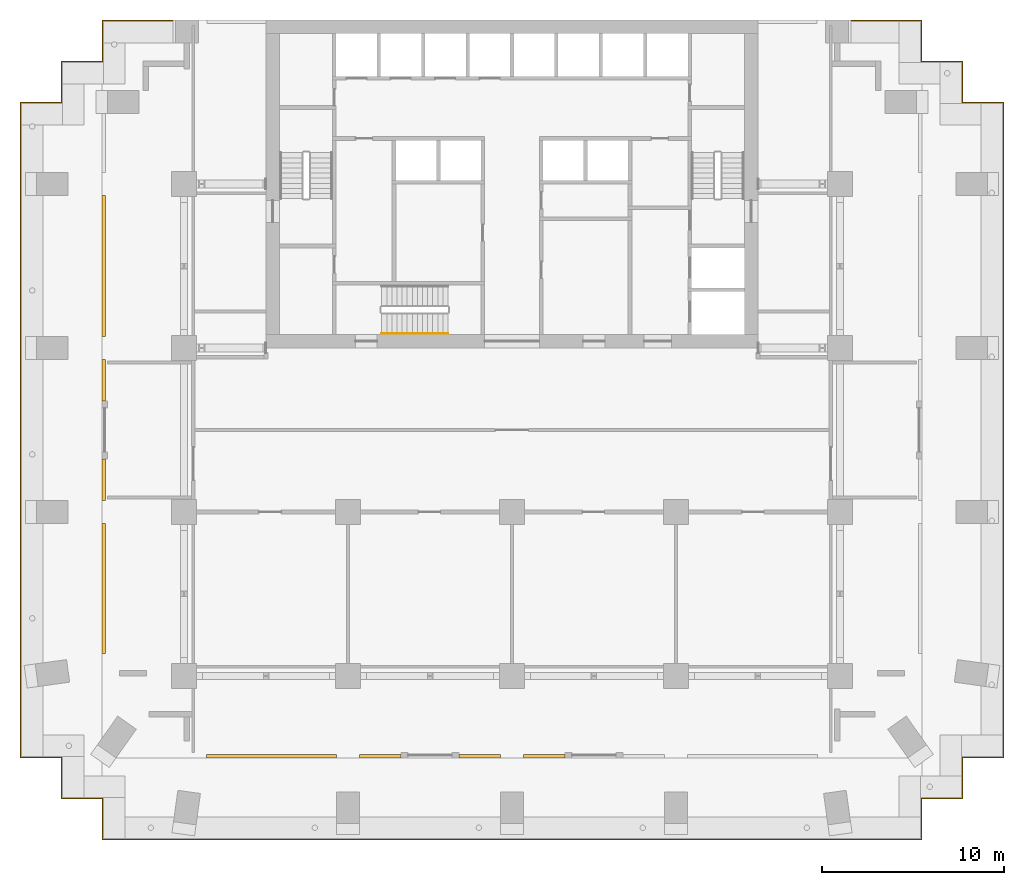
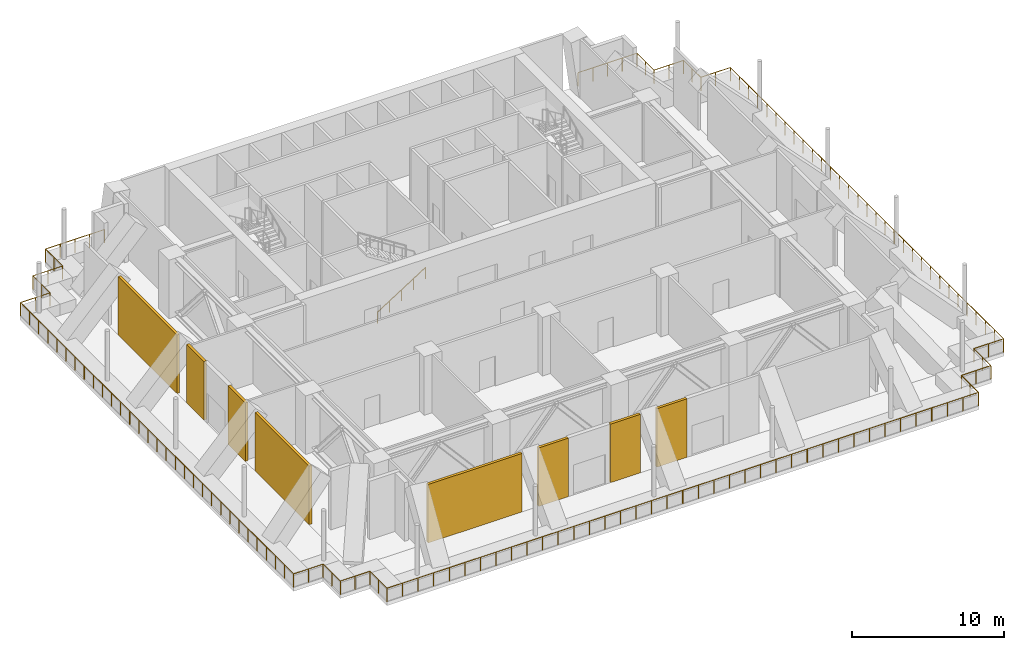
# One storey, part 6 of 9: 8 shading devices, 2 railings.
"""IFC4 building model written with IfcOpenShell, lengths in metres."""

import ifcopenshell
import ifcopenshell.guid

model = None  # the IFC model being written
_history = None  # IfcOwnerHistory: only IFC2X3 demands one
_inside = {}  # id of a spatial element -> (the spatial element, [elements in it])
_under = {}  # id of a project, library or spatial element -> (it, [spatial elements below it])
_declared = {}  # id of a project -> (the project, [libraries it declares])
_typed = {}  # id of a type object -> (the type object, [elements of that type])
_made_of = {}  # id of a material, layer set ... -> (it, [elements and type objects made of it])


def new_model(schema):
    """Start an empty IFC model of exactly this schema.

    Asked for "IFC4X3", IfcOpenShell would pick the latest addendum, in which some entities
    have other attributes; the version numbers below select the first issue.
    IFC2X3 requires an IfcOwnerHistory on every rooted entity: one is made here for all.
    """
    global model, _history
    if schema == "IFC4X3":
        model = ifcopenshell.file(schema_version=(4, 3, 0, 0))
    else:
        model = ifcopenshell.file(schema=schema)
    _inside.clear()
    _under.clear()
    _declared.clear()
    _typed.clear()
    _made_of.clear()
    _history = None
    if model.schema == "IFC2X3":
        org = make("IfcOrganization", Name="unknown")
        user = make(
            "IfcPersonAndOrganization",
            ThePerson=make("IfcPerson", FamilyName="unknown"),
            TheOrganization=org,
        )
        app = make(
            "IfcApplication",
            ApplicationDeveloper=org,
            Version="unknown",
            ApplicationFullName="unknown",
            ApplicationIdentifier="unknown",
        )
        _history = make(
            "IfcOwnerHistory",
            OwningUser=user,
            OwningApplication=app,
            ChangeAction="ADDED",
            CreationDate=0,
        )
    return model


def make(cls, **values):
    """One entity of the class cls with the attributes given. An attribute that is None is left unset."""
    return model.create_entity(
        cls, **{name: value for name, value in values.items() if value is not None}
    )


def rooted(cls, **values):
    """An entity with a GlobalId (a new one), such as an element, a storey or a relation."""
    return make(cls, GlobalId=ifcopenshell.guid.new(), OwnerHistory=_history, **values)


def si_unit(unit_type, name, prefix=None):
    """IfcSIUnit, for example si_unit("LENGTHUNIT", "METRE", prefix="MILLI")."""
    return make("IfcSIUnit", UnitType=unit_type, Prefix=prefix, Name=name)


def assignment(units):
    """IfcUnitAssignment: the units of a project."""
    return None if units is None else make("IfcUnitAssignment", Units=units)


def point(xyz):
    """IfcCartesianPoint."""
    return None if xyz is None else make("IfcCartesianPoint", Coordinates=xyz)


def direction(xyz):
    """IfcDirection."""
    return None if xyz is None else make("IfcDirection", DirectionRatios=xyz)


def frame(location, z_axis=None, x_axis=None):
    """IfcAxis2Placement3D, a coordinate frame: its origin and axes. An axis left out is left unset."""
    return make(
        "IfcAxis2Placement3D",
        Location=point(location),
        Axis=direction(z_axis),
        RefDirection=direction(x_axis),
    )


def frame_2d(location, x_axis=None):
    """IfcAxis2Placement2D, a coordinate frame in the plane: its origin and x axis."""
    return make(
        "IfcAxis2Placement2D", Location=point(location), RefDirection=direction(x_axis)
    )


def origin():
    """The frame at (0, 0, 0) with its axes left unset."""
    return frame((0.0, 0.0, 0.0))


def origin_2d():
    """The frame at (0, 0) in the plane with its x axis left unset."""
    return frame_2d((0.0, 0.0))


def place(relative_to, where):
    """IfcLocalPlacement: puts the frame where relative to a parent placement (None: the world)."""
    return make(
        "IfcLocalPlacement", PlacementRelTo=relative_to, RelativePlacement=where
    )


def context(
    kind, dimensions, precision=None, world=None, true_north=None, identifier=None
):
    """IfcGeometricRepresentationContext, for example the 3D "Model" context."""
    return make(
        "IfcGeometricRepresentationContext",
        ContextIdentifier=identifier,
        ContextType=kind,
        CoordinateSpaceDimension=dimensions,
        Precision=precision,
        WorldCoordinateSystem=world,
        TrueNorth=true_north,
    )


def subcontext(parent, identifier, kind, view, scale=None):
    """IfcGeometricRepresentationSubContext, for example "Body" below "Model"."""
    return make(
        "IfcGeometricRepresentationSubContext",
        ContextIdentifier=identifier,
        ContextType=kind,
        ParentContext=parent,
        TargetScale=scale,
        TargetView=view,
    )


def project(units=None, contexts=None):
    """IfcProject with its units and contexts."""
    return rooted(
        "IfcProject",
        Name="project",
        RepresentationContexts=contexts,
        UnitsInContext=assignment(units),
    )


def spatial(cls, under=None, at=None, **own):
    """A site, building, storey or space (cls), placed at a placement, below another one or the project."""
    s = rooted(cls, ObjectPlacement=at, **own)
    if under is not None:
        _under.setdefault(under.id(), (under, []))[1].append(s)
    return s


def polyline(points):
    """IfcPolyline through the points."""
    return make("IfcPolyline", Points=[point(p) for p in points])


def profile(cls, at=None, kind="AREA", **sizes):
    """A parametric profile (cls). Its sizes go by their IFC names, for example OverallWidth=200.0."""
    return make(cls, ProfileType=kind, Position=at, **sizes)


def rectangle(**sizes):
    """IfcRectangleProfileDef."""
    return profile("IfcRectangleProfileDef", **sizes)


def circle(**sizes):
    """IfcCircleProfileDef."""
    return profile("IfcCircleProfileDef", **sizes)


def outline(outer, holes=None, kind="AREA"):
    """IfcArbitraryClosedProfileDef: a profile drawn as a closed curve; with holes, ...WithVoids."""
    if holes is None:
        return make("IfcArbitraryClosedProfileDef", ProfileType=kind, OuterCurve=outer)
    return make(
        "IfcArbitraryProfileDefWithVoids",
        ProfileType=kind,
        OuterCurve=outer,
        InnerCurves=holes,
    )


def extrude(swept, where, along, depth):
    """IfcExtrudedAreaSolid: the profile swept, set in the frame where, extruded along a direction by depth."""
    return make(
        "IfcExtrudedAreaSolid",
        SweptArea=swept,
        Position=where,
        ExtrudedDirection=direction(along),
        Depth=depth,
    )


def shape(context_of_items, identifier, shape_type, items):
    """IfcShapeRepresentation: the items that make up one representation, for example the "Body"."""
    return make(
        "IfcShapeRepresentation",
        ContextOfItems=context_of_items,
        RepresentationIdentifier=identifier,
        RepresentationType=shape_type,
        Items=items,
    )


def material(Name=None, Category=None):
    """IfcMaterial."""
    return make("IfcMaterial", Name=Name, Category=Category)


def layer(
    of_material, thickness, ventilated=None, Name=None, Category=None, Priority=None
):
    """IfcMaterialLayer: one layer of a wall or slab, of a material (None: an air gap)."""
    return make(
        "IfcMaterialLayer",
        Material=of_material,
        LayerThickness=thickness,
        IsVentilated=ventilated,
        Name=Name,
        Category=Category,
        Priority=Priority,
    )


def layer_set(layers, Name=None):
    """IfcMaterialLayerSet."""
    return make("IfcMaterialLayerSet", MaterialLayers=layers, LayerSetName=Name)


def made_of(thing, what):
    """Note that an element or type object is made of a material, layer set ...; save() writes the relation."""
    if what is not None:
        _made_of.setdefault(what.id(), (what, []))[1].append(thing)
    return thing


def type_object(cls, material=None, **own):
    """A type object (cls), such as IfcWallType, which elements share."""
    return made_of(rooted(cls, **own), material)


def element(
    cls,
    number,
    at=None,
    inside=None,
    cuts=None,
    type_object=None,
    material=None,
    context=None,
    identifier="Body",
    shape_type=None,
    held_by="IfcProductDefinitionShape",
    body=None,
    shapes=None,
    **own,
):
    """One element of the class cls, such as IfcWall. Its Tag is "e" and its number.

    at: its placement. inside: the storey or other place that contains it. cuts: it is an
    opening in that element (IfcRelVoidsElement). A single representation is given by context,
    identifier, shape_type and body (its items); several are given by shapes. held_by: the class
    of the entity that holds the representations. save() writes the other relations.
    """
    e = rooted(cls, Tag="e%d" % number, ObjectPlacement=at, **own)
    if body is not None:
        shapes = [shape(context, identifier, shape_type, body)]
    if shapes is not None:
        e.Representation = make(held_by, Representations=shapes)
    if inside is not None:
        _inside.setdefault(inside.id(), (inside, []))[1].append(e)
    if cuts is not None:
        rooted(
            "IfcRelVoidsElement", RelatingBuildingElement=cuts, RelatedOpeningElement=e
        )
    if type_object is not None:
        _typed.setdefault(type_object.id(), (type_object, []))[1].append(e)
    return made_of(e, material)


def aggregate(whole, parts):
    """IfcRelAggregates: a whole, such as a stair, and the parts it consists of."""
    return rooted("IfcRelAggregates", RelatingObject=whole, RelatedObjects=parts)


def save(model, path):
    """Write the relations noted so far, then the file.

    IfcRelAggregates (storeys below a building ...), IfcRelContainedInSpatialStructure (elements
    in a storey), IfcRelDefinesByType, IfcRelAssociatesMaterial and IfcRelDeclares: one each for
    every whole, place, type object, material and project.
    """
    for whole, parts in _under.values():
        aggregate(whole, parts)
    for where, things in _inside.values():
        rooted(
            "IfcRelContainedInSpatialStructure",
            RelatedElements=things,
            RelatingStructure=where,
        )
    for kind, things in _typed.values():
        rooted("IfcRelDefinesByType", RelatedObjects=things, RelatingType=kind)
    for what, things in _made_of.values():
        rooted("IfcRelAssociatesMaterial", RelatedObjects=things, RelatingMaterial=what)
    for by, libraries in _declared.values():
        rooted("IfcRelDeclares", RelatingContext=by, RelatedDefinitions=libraries)
    model.write(path)


model = new_model("IFC4")

# Units and contexts
model_context = context("Model", 3, precision=1e-05, world=origin(), true_north=direction((0.0, 1.0)))
body_context = subcontext(model_context, "Body", "Model", "MODEL_VIEW")
ifc_project = project(units=[si_unit("LENGTHUNIT", "METRE"), si_unit("AREAUNIT", "SQUARE_METRE"), si_unit("VOLUMEUNIT", "CUBIC_METRE"), si_unit("PLANEANGLEUNIT", "RADIAN"), si_unit("MASSUNIT", "GRAM", prefix="KILO")], contexts=[model_context])

# Site, building, storey
site_placement = place(None, origin())
site = spatial("IfcSite", under=ifc_project, at=site_placement, CompositionType="ELEMENT")
building_placement = place(site_placement, origin())
building = spatial("IfcBuilding", under=site, at=building_placement, Name="Orbiselva Terraces", CompositionType="ELEMENT")
storey_placement = place(building_placement, frame((0.0, 0.0, 115.0)))
storey = spatial("IfcBuildingStorey", under=building, at=storey_placement, Name="L29", CompositionType="ELEMENT", Elevation=115.0)

# Railing
ifc_material_1 = material(Name="Stainless steel", Category="steel")
railing_type_1 = type_object("IfcRailingType", Name="CORE-HANDRAIL-900", PredefinedType="HANDRAIL", material=ifc_material_1)
railing_1_placement = place(storey_placement, frame((-7.15, 5.3, 0.178571)))
element("IfcRailing", 1, at=railing_1_placement, inside=storey, type_object=railing_type_1, Name="L29 S3 stair handrail 1", PredefinedType="HANDRAIL", context=body_context, shape_type="SweptSolid", body=[
    extrude(circle(Radius=0.024, at=origin_2d()), frame((0.0, 0.0, 0.876), z_axis=(0.843129645223, 0.0, 0.537710332192), x_axis=(0.0, 1.0, 0.0)), (0.0, 0.0, 1.0), 4.317248),
    extrude(circle(Radius=0.021, at=origin_2d()), origin(), (0.0, 0.0, 1.0), 0.852),
    extrude(circle(Radius=0.021, at=origin_2d()), frame((0.91, 0.0, 0.580357)), (0.0, 0.0, 1.0), 0.852),
    extrude(circle(Radius=0.021, at=origin_2d()), frame((1.82, 0.0, 1.160714)), (0.0, 0.0, 1.0), 0.852),
    extrude(circle(Radius=0.021, at=origin_2d()), frame((2.73, 0.0, 1.741072)), (0.0, 0.0, 1.0), 0.852),
    extrude(circle(Radius=0.021, at=origin_2d()), frame((3.64, 0.0, 2.321429)), (0.0, 0.0, 1.0), 0.852),
])

# Shading devices
ifc_material_2 = material(Name="Terracotta louvre blades", Category="masonry")
ifc_layer = layer(ifc_material_2, 0.2)
ifc_layer_set = layer_set([ifc_layer], Name="Terracotta louvre blades")
shading_device_type = type_object("IfcShadingDeviceType", Name="ENV-LOUVRE-WALL-200", PredefinedType="USERDEFINED", material=ifc_layer_set)
shading_device_1_placement = place(storey_placement, origin())
element("IfcShadingDevice", 2, at=shading_device_1_placement, inside=storey, type_object=shading_device_type, Name="Louvre wall L29 S", ObjectType="LOUVRE", PredefinedType="USERDEFINED", context=body_context, shape_type="SweptSolid", body=[
    extrude(outline(polyline([(-16.76787, -18.0), (-9.625, -18.0), (-9.625, -17.8), (-16.76787, -17.8), (-16.76787, -18.0)])), origin(), (0.0, 0.0, 1.0), 4.7),
])
shading_device_2_placement = place(storey_placement, origin())
element("IfcShadingDevice", 3, at=shading_device_2_placement, inside=storey, type_object=shading_device_type, Name="Louvre wall L29 S", ObjectType="LOUVRE", PredefinedType="USERDEFINED", context=body_context, shape_type="SweptSolid", body=[
    extrude(outline(polyline([(-8.375, -18.0), (-6.1, -18.0), (-6.1, -17.8), (-8.375, -17.8), (-8.375, -18.0)])), origin(), (0.0, 0.0, 1.0), 4.7),
])
shading_device_3_placement = place(storey_placement, origin())
element("IfcShadingDevice", 4, at=shading_device_3_placement, inside=storey, type_object=shading_device_type, Name="Louvre wall L29 S", ObjectType="LOUVRE", PredefinedType="USERDEFINED", context=body_context, shape_type="SweptSolid", body=[
    extrude(outline(polyline([(-2.9, -18.0), (-0.625, -18.0), (-0.625, -17.8), (-2.9, -17.8), (-2.9, -18.0)])), origin(), (0.0, 0.0, 1.0), 4.7),
])
shading_device_4_placement = place(storey_placement, origin())
element("IfcShadingDevice", 5, at=shading_device_4_placement, inside=storey, type_object=shading_device_type, Name="Louvre wall L29 S", ObjectType="LOUVRE", PredefinedType="USERDEFINED", context=body_context, shape_type="SweptSolid", body=[
    extrude(outline(polyline([(0.625, -18.0), (2.9, -18.0), (2.9, -17.8), (0.625, -17.8), (0.625, -18.0)])), origin(), (0.0, 0.0, 1.0), 4.7),
])
shading_device_5_placement = place(storey_placement, origin())
element("IfcShadingDevice", 6, at=shading_device_5_placement, inside=storey, type_object=shading_device_type, Name="Louvre wall L29 W", ObjectType="LOUVRE", PredefinedType="USERDEFINED", context=body_context, shape_type="SweptSolid", body=[
    extrude(outline(polyline([(-22.5, 12.875), (-22.5, 5.125), (-22.3, 5.125), (-22.3, 12.875), (-22.5, 12.875)])), origin(), (0.0, 0.0, 1.0), 4.7),
])
shading_device_6_placement = place(storey_placement, origin())
element("IfcShadingDevice", 7, at=shading_device_6_placement, inside=storey, type_object=shading_device_type, Name="Louvre wall L29 W", ObjectType="LOUVRE", PredefinedType="USERDEFINED", context=body_context, shape_type="SweptSolid", body=[
    extrude(outline(polyline([(-22.5, 3.875), (-22.5, 1.6), (-22.3, 1.6), (-22.3, 3.875), (-22.5, 3.875)])), origin(), (0.0, 0.0, 1.0), 4.7),
])
shading_device_7_placement = place(storey_placement, origin())
element("IfcShadingDevice", 8, at=shading_device_7_placement, inside=storey, type_object=shading_device_type, Name="Louvre wall L29 W", ObjectType="LOUVRE", PredefinedType="USERDEFINED", context=body_context, shape_type="SweptSolid", body=[
    extrude(outline(polyline([(-22.5, -1.6), (-22.5, -3.875), (-22.3, -3.875), (-22.3, -1.6), (-22.5, -1.6)])), origin(), (0.0, 0.0, 1.0), 4.7),
])
shading_device_8_placement = place(storey_placement, origin())
element("IfcShadingDevice", 9, at=shading_device_8_placement, inside=storey, type_object=shading_device_type, Name="Louvre wall L29 W", ObjectType="LOUVRE", PredefinedType="USERDEFINED", context=body_context, shape_type="SweptSolid", body=[
    extrude(outline(polyline([(-22.5, -5.125), (-22.5, -12.26787), (-22.3, -12.26787), (-22.3, -5.125), (-22.5, -5.125)])), origin(), (0.0, 0.0, 1.0), 4.7),
])

# Railing
ifc_material_3 = material(Name="Stainless steel rail and posts", Category="steel")
railing_type_2 = type_object("IfcRailingType", Name="ENV-TERRACE-GUARD-1105", PredefinedType="BALUSTRADE", material=ifc_material_3)
railing_2_placement = place(storey_placement, frame((-18.0, 22.475, 0.0)))
element("IfcRailing", 10, at=railing_2_placement, inside=storey, type_object=railing_type_2, Name="Guard L29 ring", PredefinedType="BALUSTRADE", context=body_context, shape_type="SweptSolid", body=[
    extrude(outline(polyline([(0.028868, 0.0), (0.014434, 0.025), (-0.014434, 0.025), (-0.028868, 0.0), (-0.014434, -0.025), (0.014434, -0.025), (0.028868, 0.0)])), frame((0.0, 0.0, 1.08), z_axis=(-1.0, 0.0, 0.0), x_axis=(0.0, -1.0, 0.0)), (0.0, 0.0, 1.0), 4.475),
    extrude(outline(polyline([(0.028868, 0.0), (0.014434, 0.025), (-0.014434, 0.025), (-0.028868, 0.0), (-0.014434, -0.025), (0.014434, -0.025), (0.028868, 0.0)])), frame((-4.475, 0.0, 1.08), z_axis=(0.0, -1.0, 0.0), x_axis=(1.0, 0.0, 0.0)), (0.0, 0.0, 1.0), 2.25),
    extrude(outline(polyline([(0.028868, 0.0), (0.014434, 0.025), (-0.014434, 0.025), (-0.028868, 0.0), (-0.014434, -0.025), (0.014434, -0.025), (0.028868, 0.0)])), frame((-4.475, -2.25, 1.08), z_axis=(-1.0, 0.0, 0.0), x_axis=(0.0, -1.0, 0.0)), (0.0, 0.0, 1.0), 2.25),
    extrude(outline(polyline([(0.028868, 0.0), (0.014434, 0.025), (-0.014434, 0.025), (-0.028868, 0.0), (-0.014434, -0.025), (0.014434, -0.025), (0.028868, 0.0)])), frame((-6.725, -2.25, 1.08), z_axis=(0.0, -1.0, 0.0), x_axis=(1.0, 0.0, 0.0)), (0.0, 0.0, 1.0), 2.25),
    extrude(outline(polyline([(0.028868, 0.0), (0.014434, 0.025), (-0.014434, 0.025), (-0.028868, 0.0), (-0.014434, -0.025), (0.014434, -0.025), (0.028868, 0.0)])), frame((-6.725, -4.5, 1.08), z_axis=(-1.0, 0.0, 0.0), x_axis=(0.0, -1.0, 0.0)), (0.0, 0.0, 1.0), 2.25),
    extrude(outline(polyline([(0.028868, 0.0), (0.014434, 0.025), (-0.014434, 0.025), (-0.028868, 0.0), (-0.014434, -0.025), (0.014434, -0.025), (0.028868, 0.0)])), frame((-8.975, -4.5, 1.08), z_axis=(0.0, -1.0, 0.0), x_axis=(1.0, 0.0, 0.0)), (0.0, 0.0, 1.0), 35.95),
    extrude(outline(polyline([(0.028868, 0.0), (0.014434, 0.025), (-0.014434, 0.025), (-0.028868, 0.0), (-0.014434, -0.025), (0.014434, -0.025), (0.028868, 0.0)])), frame((-8.975, -40.45, 1.08), z_axis=(1.0, 0.0, 0.0), x_axis=(0.0, 1.0, 0.0)), (0.0, 0.0, 1.0), 2.25),
    extrude(outline(polyline([(0.028868, 0.0), (0.014434, 0.025), (-0.014434, 0.025), (-0.028868, 0.0), (-0.014434, -0.025), (0.014434, -0.025), (0.028868, 0.0)])), frame((-6.725, -40.45, 1.08), z_axis=(0.0, -1.0, 0.0), x_axis=(1.0, 0.0, 0.0)), (0.0, 0.0, 1.0), 2.25),
    extrude(outline(polyline([(0.028868, 0.0), (0.014434, 0.025), (-0.014434, 0.025), (-0.028868, 0.0), (-0.014434, -0.025), (0.014434, -0.025), (0.028868, 0.0)])), frame((-6.725, -42.7, 1.08), z_axis=(1.0, 0.0, 0.0), x_axis=(0.0, 1.0, 0.0)), (0.0, 0.0, 1.0), 2.25),
    extrude(outline(polyline([(0.028868, 0.0), (0.014434, 0.025), (-0.014434, 0.025), (-0.028868, 0.0), (-0.014434, -0.025), (0.014434, -0.025), (0.028868, 0.0)])), frame((-4.475, -42.7, 1.08), z_axis=(0.0, -1.0, 0.0), x_axis=(1.0, 0.0, 0.0)), (0.0, 0.0, 1.0), 2.25),
    extrude(outline(polyline([(0.028868, 0.0), (0.014434, 0.025), (-0.014434, 0.025), (-0.028868, 0.0), (-0.014434, -0.025), (0.014434, -0.025), (0.028868, 0.0)])), frame((-4.475, -44.95, 1.08), z_axis=(1.0, 0.0, 0.0), x_axis=(0.0, 1.0, 0.0)), (0.0, 0.0, 1.0), 44.95),
    extrude(outline(polyline([(0.028868, 0.0), (0.014434, 0.025), (-0.014434, 0.025), (-0.028868, 0.0), (-0.014434, -0.025), (0.014434, -0.025), (0.028868, 0.0)])), frame((40.475, -44.95, 1.08), z_axis=(0.0, 1.0, 0.0), x_axis=(-1.0, 0.0, 0.0)), (0.0, 0.0, 1.0), 2.25),
    extrude(outline(polyline([(0.028868, 0.0), (0.014434, 0.025), (-0.014434, 0.025), (-0.028868, 0.0), (-0.014434, -0.025), (0.014434, -0.025), (0.028868, 0.0)])), frame((40.475, -42.7, 1.08), z_axis=(1.0, 0.0, 0.0), x_axis=(0.0, 1.0, 0.0)), (0.0, 0.0, 1.0), 2.25),
    extrude(outline(polyline([(0.028868, 0.0), (0.014434, 0.025), (-0.014434, 0.025), (-0.028868, 0.0), (-0.014434, -0.025), (0.014434, -0.025), (0.028868, 0.0)])), frame((42.725, -42.7, 1.08), z_axis=(0.0, 1.0, 0.0), x_axis=(-1.0, 0.0, 0.0)), (0.0, 0.0, 1.0), 2.25),
    extrude(outline(polyline([(0.028868, 0.0), (0.014434, 0.025), (-0.014434, 0.025), (-0.028868, 0.0), (-0.014434, -0.025), (0.014434, -0.025), (0.028868, 0.0)])), frame((42.725, -40.45, 1.08), z_axis=(1.0, 0.0, 0.0), x_axis=(0.0, 1.0, 0.0)), (0.0, 0.0, 1.0), 2.25),
    extrude(outline(polyline([(0.028868, 0.0), (0.014434, 0.025), (-0.014434, 0.025), (-0.028868, 0.0), (-0.014434, -0.025), (0.014434, -0.025), (0.028868, 0.0)])), frame((44.975, -40.45, 1.08), z_axis=(0.0, 1.0, 0.0), x_axis=(-1.0, 0.0, 0.0)), (0.0, 0.0, 1.0), 35.95),
    extrude(outline(polyline([(0.028868, 0.0), (0.014434, 0.025), (-0.014434, 0.025), (-0.028868, 0.0), (-0.014434, -0.025), (0.014434, -0.025), (0.028868, 0.0)])), frame((44.975, -4.5, 1.08), z_axis=(-1.0, 0.0, 0.0), x_axis=(0.0, -1.0, 0.0)), (0.0, 0.0, 1.0), 2.25),
    extrude(outline(polyline([(0.028868, 0.0), (0.014434, 0.025), (-0.014434, 0.025), (-0.028868, 0.0), (-0.014434, -0.025), (0.014434, -0.025), (0.028868, 0.0)])), frame((42.725, -4.5, 1.08), z_axis=(0.0, 1.0, 0.0), x_axis=(-1.0, 0.0, 0.0)), (0.0, 0.0, 1.0), 2.25),
    extrude(outline(polyline([(0.028868, 0.0), (0.014434, 0.025), (-0.014434, 0.025), (-0.028868, 0.0), (-0.014434, -0.025), (0.014434, -0.025), (0.028868, 0.0)])), frame((42.725, -2.25, 1.08), z_axis=(-1.0, 0.0, 0.0), x_axis=(0.0, -1.0, 0.0)), (0.0, 0.0, 1.0), 2.25),
    extrude(outline(polyline([(0.028868, 0.0), (0.014434, 0.025), (-0.014434, 0.025), (-0.028868, 0.0), (-0.014434, -0.025), (0.014434, -0.025), (0.028868, 0.0)])), frame((40.475, -2.25, 1.08), z_axis=(0.0, 1.0, 0.0), x_axis=(-1.0, 0.0, 0.0)), (0.0, 0.0, 1.0), 2.25),
    extrude(outline(polyline([(0.028868, 0.0), (0.014434, 0.025), (-0.014434, 0.025), (-0.028868, 0.0), (-0.014434, -0.025), (0.014434, -0.025), (0.028868, 0.0)])), frame((40.475, 0.0, 1.08), z_axis=(-1.0, 0.0, 0.0), x_axis=(0.0, -1.0, 0.0)), (0.0, 0.0, 1.0), 4.475),
    extrude(rectangle(XDim=0.05, YDim=0.05, at=origin_2d()), origin(), (0.0, 0.0, 1.0), 1.055),
    extrude(rectangle(XDim=0.05, YDim=0.05, at=origin_2d()), frame((-1.11875, 0.0, 0.0)), (0.0, 0.0, 1.0), 1.055),
    extrude(rectangle(XDim=0.05, YDim=0.05, at=origin_2d()), frame((-2.2375, 0.0, 0.0)), (0.0, 0.0, 1.0), 1.055),
    extrude(rectangle(XDim=0.05, YDim=0.05, at=origin_2d()), frame((-3.35625, 0.0, 0.0)), (0.0, 0.0, 1.0), 1.055),
    extrude(rectangle(XDim=0.05, YDim=0.05, at=origin_2d()), frame((-4.475, 0.0, 0.0)), (0.0, 0.0, 1.0), 1.055),
    extrude(rectangle(XDim=0.05, YDim=0.05, at=origin_2d()), frame((-4.475, -1.125, 0.0)), (0.0, 0.0, 1.0), 1.055),
    extrude(rectangle(XDim=0.05, YDim=0.05, at=origin_2d()), frame((-4.475, -2.25, 0.0)), (0.0, 0.0, 1.0), 1.055),
    extrude(rectangle(XDim=0.05, YDim=0.05, at=origin_2d()), frame((-5.6, -2.25, 0.0)), (0.0, 0.0, 1.0), 1.055),
    extrude(rectangle(XDim=0.05, YDim=0.05, at=origin_2d()), frame((-6.725, -2.25, 0.0)), (0.0, 0.0, 1.0), 1.055),
    extrude(rectangle(XDim=0.05, YDim=0.05, at=origin_2d()), frame((-6.725, -3.375, 0.0)), (0.0, 0.0, 1.0), 1.055),
    extrude(rectangle(XDim=0.05, YDim=0.05, at=origin_2d()), frame((-6.725, -4.5, 0.0)), (0.0, 0.0, 1.0), 1.055),
    extrude(rectangle(XDim=0.05, YDim=0.05, at=origin_2d()), frame((-7.85, -4.5, 0.0)), (0.0, 0.0, 1.0), 1.055),
    extrude(rectangle(XDim=0.05, YDim=0.05, at=origin_2d()), frame((-8.975, -4.5, 0.0)), (0.0, 0.0, 1.0), 1.055),
    extrude(rectangle(XDim=0.05, YDim=0.05, at=origin_2d()), frame((-8.975, -5.698333, 0.0)), (0.0, 0.0, 1.0), 1.055),
    extrude(rectangle(XDim=0.05, YDim=0.05, at=origin_2d()), frame((-8.975, -6.896667, 0.0)), (0.0, 0.0, 1.0), 1.055),
    extrude(rectangle(XDim=0.05, YDim=0.05, at=origin_2d()), frame((-8.975, -8.095, 0.0)), (0.0, 0.0, 1.0), 1.055),
    extrude(rectangle(XDim=0.05, YDim=0.05, at=origin_2d()), frame((-8.975, -9.293333, 0.0)), (0.0, 0.0, 1.0), 1.055),
    extrude(rectangle(XDim=0.05, YDim=0.05, at=origin_2d()), frame((-8.975, -10.491667, 0.0)), (0.0, 0.0, 1.0), 1.055),
    extrude(rectangle(XDim=0.05, YDim=0.05, at=origin_2d()), frame((-8.975, -11.69, 0.0)), (0.0, 0.0, 1.0), 1.055),
    extrude(rectangle(XDim=0.05, YDim=0.05, at=origin_2d()), frame((-8.975, -12.888333, 0.0)), (0.0, 0.0, 1.0), 1.055),
    extrude(rectangle(XDim=0.05, YDim=0.05, at=origin_2d()), frame((-8.975, -14.086667, 0.0)), (0.0, 0.0, 1.0), 1.055),
    extrude(rectangle(XDim=0.05, YDim=0.05, at=origin_2d()), frame((-8.975, -15.285, 0.0)), (0.0, 0.0, 1.0), 1.055),
    extrude(rectangle(XDim=0.05, YDim=0.05, at=origin_2d()), frame((-8.975, -16.483333, 0.0)), (0.0, 0.0, 1.0), 1.055),
    extrude(rectangle(XDim=0.05, YDim=0.05, at=origin_2d()), frame((-8.975, -17.681667, 0.0)), (0.0, 0.0, 1.0), 1.055),
    extrude(rectangle(XDim=0.05, YDim=0.05, at=origin_2d()), frame((-8.975, -18.88, 0.0)), (0.0, 0.0, 1.0), 1.055),
    extrude(rectangle(XDim=0.05, YDim=0.05, at=origin_2d()), frame((-8.975, -20.078333, 0.0)), (0.0, 0.0, 1.0), 1.055),
    extrude(rectangle(XDim=0.05, YDim=0.05, at=origin_2d()), frame((-8.975, -21.276667, 0.0)), (0.0, 0.0, 1.0), 1.055),
    extrude(rectangle(XDim=0.05, YDim=0.05, at=origin_2d()), frame((-8.975, -22.475, 0.0)), (0.0, 0.0, 1.0), 1.055),
    extrude(rectangle(XDim=0.05, YDim=0.05, at=origin_2d()), frame((-8.975, -23.673333, 0.0)), (0.0, 0.0, 1.0), 1.055),
    extrude(rectangle(XDim=0.05, YDim=0.05, at=origin_2d()), frame((-8.975, -24.871667, 0.0)), (0.0, 0.0, 1.0), 1.055),
    extrude(rectangle(XDim=0.05, YDim=0.05, at=origin_2d()), frame((-8.975, -26.07, 0.0)), (0.0, 0.0, 1.0), 1.055),
    extrude(rectangle(XDim=0.05, YDim=0.05, at=origin_2d()), frame((-8.975, -27.268333, 0.0)), (0.0, 0.0, 1.0), 1.055),
    extrude(rectangle(XDim=0.05, YDim=0.05, at=origin_2d()), frame((-8.975, -28.466667, 0.0)), (0.0, 0.0, 1.0), 1.055),
    extrude(rectangle(XDim=0.05, YDim=0.05, at=origin_2d()), frame((-8.975, -29.665, 0.0)), (0.0, 0.0, 1.0), 1.055),
    extrude(rectangle(XDim=0.05, YDim=0.05, at=origin_2d()), frame((-8.975, -30.863333, 0.0)), (0.0, 0.0, 1.0), 1.055),
    extrude(rectangle(XDim=0.05, YDim=0.05, at=origin_2d()), frame((-8.975, -32.061667, 0.0)), (0.0, 0.0, 1.0), 1.055),
    extrude(rectangle(XDim=0.05, YDim=0.05, at=origin_2d()), frame((-8.975, -33.26, 0.0)), (0.0, 0.0, 1.0), 1.055),
    extrude(rectangle(XDim=0.05, YDim=0.05, at=origin_2d()), frame((-8.975, -34.458333, 0.0)), (0.0, 0.0, 1.0), 1.055),
    extrude(rectangle(XDim=0.05, YDim=0.05, at=origin_2d()), frame((-8.975, -35.656667, 0.0)), (0.0, 0.0, 1.0), 1.055),
    extrude(rectangle(XDim=0.05, YDim=0.05, at=origin_2d()), frame((-8.975, -36.855, 0.0)), (0.0, 0.0, 1.0), 1.055),
    extrude(rectangle(XDim=0.05, YDim=0.05, at=origin_2d()), frame((-8.975, -38.053333, 0.0)), (0.0, 0.0, 1.0), 1.055),
    extrude(rectangle(XDim=0.05, YDim=0.05, at=origin_2d()), frame((-8.975, -39.251667, 0.0)), (0.0, 0.0, 1.0), 1.055),
    extrude(rectangle(XDim=0.05, YDim=0.05, at=origin_2d()), frame((-8.975, -40.45, 0.0)), (0.0, 0.0, 1.0), 1.055),
    extrude(rectangle(XDim=0.05, YDim=0.05, at=origin_2d()), frame((-7.85, -40.45, 0.0)), (0.0, 0.0, 1.0), 1.055),
    extrude(rectangle(XDim=0.05, YDim=0.05, at=origin_2d()), frame((-6.725, -40.45, 0.0)), (0.0, 0.0, 1.0), 1.055),
    extrude(rectangle(XDim=0.05, YDim=0.05, at=origin_2d()), frame((-6.725, -41.575, 0.0)), (0.0, 0.0, 1.0), 1.055),
    extrude(rectangle(XDim=0.05, YDim=0.05, at=origin_2d()), frame((-6.725, -42.7, 0.0)), (0.0, 0.0, 1.0), 1.055),
    extrude(rectangle(XDim=0.05, YDim=0.05, at=origin_2d()), frame((-5.6, -42.7, 0.0)), (0.0, 0.0, 1.0), 1.055),
    extrude(rectangle(XDim=0.05, YDim=0.05, at=origin_2d()), frame((-4.475, -42.7, 0.0)), (0.0, 0.0, 1.0), 1.055),
    extrude(rectangle(XDim=0.05, YDim=0.05, at=origin_2d()), frame((-4.475, -43.825, 0.0)), (0.0, 0.0, 1.0), 1.055),
    extrude(rectangle(XDim=0.05, YDim=0.05, at=origin_2d()), frame((-4.475, -44.95, 0.0)), (0.0, 0.0, 1.0), 1.055),
    extrude(rectangle(XDim=0.05, YDim=0.05, at=origin_2d()), frame((-3.292105, -44.95, 0.0)), (0.0, 0.0, 1.0), 1.055),
    extrude(rectangle(XDim=0.05, YDim=0.05, at=origin_2d()), frame((-2.109211, -44.95, 0.0)), (0.0, 0.0, 1.0), 1.055),
    extrude(rectangle(XDim=0.05, YDim=0.05, at=origin_2d()), frame((-0.926316, -44.95, 0.0)), (0.0, 0.0, 1.0), 1.055),
    extrude(rectangle(XDim=0.05, YDim=0.05, at=origin_2d()), frame((0.256579, -44.95, 0.0)), (0.0, 0.0, 1.0), 1.055),
    extrude(rectangle(XDim=0.05, YDim=0.05, at=origin_2d()), frame((1.439474, -44.95, 0.0)), (0.0, 0.0, 1.0), 1.055),
    extrude(rectangle(XDim=0.05, YDim=0.05, at=origin_2d()), frame((2.622368, -44.95, 0.0)), (0.0, 0.0, 1.0), 1.055),
    extrude(rectangle(XDim=0.05, YDim=0.05, at=origin_2d()), frame((3.805263, -44.95, 0.0)), (0.0, 0.0, 1.0), 1.055),
    extrude(rectangle(XDim=0.05, YDim=0.05, at=origin_2d()), frame((4.988158, -44.95, 0.0)), (0.0, 0.0, 1.0), 1.055),
    extrude(rectangle(XDim=0.05, YDim=0.05, at=origin_2d()), frame((6.171053, -44.95, 0.0)), (0.0, 0.0, 1.0), 1.055),
    extrude(rectangle(XDim=0.05, YDim=0.05, at=origin_2d()), frame((7.353947, -44.95, 0.0)), (0.0, 0.0, 1.0), 1.055),
    extrude(rectangle(XDim=0.05, YDim=0.05, at=origin_2d()), frame((8.536842, -44.95, 0.0)), (0.0, 0.0, 1.0), 1.055),
    extrude(rectangle(XDim=0.05, YDim=0.05, at=origin_2d()), frame((9.719737, -44.95, 0.0)), (0.0, 0.0, 1.0), 1.055),
    extrude(rectangle(XDim=0.05, YDim=0.05, at=origin_2d()), frame((10.902632, -44.95, 0.0)), (0.0, 0.0, 1.0), 1.055),
    extrude(rectangle(XDim=0.05, YDim=0.05, at=origin_2d()), frame((12.085526, -44.95, 0.0)), (0.0, 0.0, 1.0), 1.055),
    extrude(rectangle(XDim=0.05, YDim=0.05, at=origin_2d()), frame((13.268421, -44.95, 0.0)), (0.0, 0.0, 1.0), 1.055),
    extrude(rectangle(XDim=0.05, YDim=0.05, at=origin_2d()), frame((14.451316, -44.95, 0.0)), (0.0, 0.0, 1.0), 1.055),
    extrude(rectangle(XDim=0.05, YDim=0.05, at=origin_2d()), frame((15.634211, -44.95, 0.0)), (0.0, 0.0, 1.0), 1.055),
    extrude(rectangle(XDim=0.05, YDim=0.05, at=origin_2d()), frame((16.817105, -44.95, 0.0)), (0.0, 0.0, 1.0), 1.055),
    extrude(rectangle(XDim=0.05, YDim=0.05, at=origin_2d()), frame((18.0, -44.95, 0.0)), (0.0, 0.0, 1.0), 1.055),
    extrude(rectangle(XDim=0.05, YDim=0.05, at=origin_2d()), frame((19.182895, -44.95, 0.0)), (0.0, 0.0, 1.0), 1.055),
    extrude(rectangle(XDim=0.05, YDim=0.05, at=origin_2d()), frame((20.365789, -44.95, 0.0)), (0.0, 0.0, 1.0), 1.055),
    extrude(rectangle(XDim=0.05, YDim=0.05, at=origin_2d()), frame((21.548684, -44.95, 0.0)), (0.0, 0.0, 1.0), 1.055),
    extrude(rectangle(XDim=0.05, YDim=0.05, at=origin_2d()), frame((22.731579, -44.95, 0.0)), (0.0, 0.0, 1.0), 1.055),
    extrude(rectangle(XDim=0.05, YDim=0.05, at=origin_2d()), frame((23.914474, -44.95, 0.0)), (0.0, 0.0, 1.0), 1.055),
    extrude(rectangle(XDim=0.05, YDim=0.05, at=origin_2d()), frame((25.097368, -44.95, 0.0)), (0.0, 0.0, 1.0), 1.055),
    extrude(rectangle(XDim=0.05, YDim=0.05, at=origin_2d()), frame((26.280263, -44.95, 0.0)), (0.0, 0.0, 1.0), 1.055),
    extrude(rectangle(XDim=0.05, YDim=0.05, at=origin_2d()), frame((27.463158, -44.95, 0.0)), (0.0, 0.0, 1.0), 1.055),
    extrude(rectangle(XDim=0.05, YDim=0.05, at=origin_2d()), frame((28.646053, -44.95, 0.0)), (0.0, 0.0, 1.0), 1.055),
    extrude(rectangle(XDim=0.05, YDim=0.05, at=origin_2d()), frame((29.828947, -44.95, 0.0)), (0.0, 0.0, 1.0), 1.055),
    extrude(rectangle(XDim=0.05, YDim=0.05, at=origin_2d()), frame((31.011842, -44.95, 0.0)), (0.0, 0.0, 1.0), 1.055),
    extrude(rectangle(XDim=0.05, YDim=0.05, at=origin_2d()), frame((32.194737, -44.95, 0.0)), (0.0, 0.0, 1.0), 1.055),
    extrude(rectangle(XDim=0.05, YDim=0.05, at=origin_2d()), frame((33.377632, -44.95, 0.0)), (0.0, 0.0, 1.0), 1.055),
    extrude(rectangle(XDim=0.05, YDim=0.05, at=origin_2d()), frame((34.560526, -44.95, 0.0)), (0.0, 0.0, 1.0), 1.055),
    extrude(rectangle(XDim=0.05, YDim=0.05, at=origin_2d()), frame((35.743421, -44.95, 0.0)), (0.0, 0.0, 1.0), 1.055),
    extrude(rectangle(XDim=0.05, YDim=0.05, at=origin_2d()), frame((36.926316, -44.95, 0.0)), (0.0, 0.0, 1.0), 1.055),
    extrude(rectangle(XDim=0.05, YDim=0.05, at=origin_2d()), frame((38.109211, -44.95, 0.0)), (0.0, 0.0, 1.0), 1.055),
    extrude(rectangle(XDim=0.05, YDim=0.05, at=origin_2d()), frame((39.292105, -44.95, 0.0)), (0.0, 0.0, 1.0), 1.055),
    extrude(rectangle(XDim=0.05, YDim=0.05, at=origin_2d()), frame((40.475, -44.95, 0.0)), (0.0, 0.0, 1.0), 1.055),
    extrude(rectangle(XDim=0.05, YDim=0.05, at=origin_2d()), frame((40.475, -43.825, 0.0)), (0.0, 0.0, 1.0), 1.055),
    extrude(rectangle(XDim=0.05, YDim=0.05, at=origin_2d()), frame((40.475, -42.7, 0.0)), (0.0, 0.0, 1.0), 1.055),
    extrude(rectangle(XDim=0.05, YDim=0.05, at=origin_2d()), frame((41.6, -42.7, 0.0)), (0.0, 0.0, 1.0), 1.055),
    extrude(rectangle(XDim=0.05, YDim=0.05, at=origin_2d()), frame((42.725, -42.7, 0.0)), (0.0, 0.0, 1.0), 1.055),
    extrude(rectangle(XDim=0.05, YDim=0.05, at=origin_2d()), frame((42.725, -41.575, 0.0)), (0.0, 0.0, 1.0), 1.055),
    extrude(rectangle(XDim=0.05, YDim=0.05, at=origin_2d()), frame((42.725, -40.45, 0.0)), (0.0, 0.0, 1.0), 1.055),
    extrude(rectangle(XDim=0.05, YDim=0.05, at=origin_2d()), frame((43.85, -40.45, 0.0)), (0.0, 0.0, 1.0), 1.055),
    extrude(rectangle(XDim=0.05, YDim=0.05, at=origin_2d()), frame((44.975, -40.45, 0.0)), (0.0, 0.0, 1.0), 1.055),
    extrude(rectangle(XDim=0.05, YDim=0.05, at=origin_2d()), frame((44.975, -39.251667, 0.0)), (0.0, 0.0, 1.0), 1.055),
    extrude(rectangle(XDim=0.05, YDim=0.05, at=origin_2d()), frame((44.975, -38.053333, 0.0)), (0.0, 0.0, 1.0), 1.055),
    extrude(rectangle(XDim=0.05, YDim=0.05, at=origin_2d()), frame((44.975, -36.855, 0.0)), (0.0, 0.0, 1.0), 1.055),
    extrude(rectangle(XDim=0.05, YDim=0.05, at=origin_2d()), frame((44.975, -35.656667, 0.0)), (0.0, 0.0, 1.0), 1.055),
    extrude(rectangle(XDim=0.05, YDim=0.05, at=origin_2d()), frame((44.975, -34.458333, 0.0)), (0.0, 0.0, 1.0), 1.055),
    extrude(rectangle(XDim=0.05, YDim=0.05, at=origin_2d()), frame((44.975, -33.26, 0.0)), (0.0, 0.0, 1.0), 1.055),
    extrude(rectangle(XDim=0.05, YDim=0.05, at=origin_2d()), frame((44.975, -32.061667, 0.0)), (0.0, 0.0, 1.0), 1.055),
    extrude(rectangle(XDim=0.05, YDim=0.05, at=origin_2d()), frame((44.975, -30.863333, 0.0)), (0.0, 0.0, 1.0), 1.055),
    extrude(rectangle(XDim=0.05, YDim=0.05, at=origin_2d()), frame((44.975, -29.665, 0.0)), (0.0, 0.0, 1.0), 1.055),
    extrude(rectangle(XDim=0.05, YDim=0.05, at=origin_2d()), frame((44.975, -28.466667, 0.0)), (0.0, 0.0, 1.0), 1.055),
    extrude(rectangle(XDim=0.05, YDim=0.05, at=origin_2d()), frame((44.975, -27.268333, 0.0)), (0.0, 0.0, 1.0), 1.055),
    extrude(rectangle(XDim=0.05, YDim=0.05, at=origin_2d()), frame((44.975, -26.07, 0.0)), (0.0, 0.0, 1.0), 1.055),
    extrude(rectangle(XDim=0.05, YDim=0.05, at=origin_2d()), frame((44.975, -24.871667, 0.0)), (0.0, 0.0, 1.0), 1.055),
    extrude(rectangle(XDim=0.05, YDim=0.05, at=origin_2d()), frame((44.975, -23.673333, 0.0)), (0.0, 0.0, 1.0), 1.055),
    extrude(rectangle(XDim=0.05, YDim=0.05, at=origin_2d()), frame((44.975, -22.475, 0.0)), (0.0, 0.0, 1.0), 1.055),
    extrude(rectangle(XDim=0.05, YDim=0.05, at=origin_2d()), frame((44.975, -21.276667, 0.0)), (0.0, 0.0, 1.0), 1.055),
    extrude(rectangle(XDim=0.05, YDim=0.05, at=origin_2d()), frame((44.975, -20.078333, 0.0)), (0.0, 0.0, 1.0), 1.055),
    extrude(rectangle(XDim=0.05, YDim=0.05, at=origin_2d()), frame((44.975, -18.88, 0.0)), (0.0, 0.0, 1.0), 1.055),
    extrude(rectangle(XDim=0.05, YDim=0.05, at=origin_2d()), frame((44.975, -17.681667, 0.0)), (0.0, 0.0, 1.0), 1.055),
    extrude(rectangle(XDim=0.05, YDim=0.05, at=origin_2d()), frame((44.975, -16.483333, 0.0)), (0.0, 0.0, 1.0), 1.055),
    extrude(rectangle(XDim=0.05, YDim=0.05, at=origin_2d()), frame((44.975, -15.285, 0.0)), (0.0, 0.0, 1.0), 1.055),
    extrude(rectangle(XDim=0.05, YDim=0.05, at=origin_2d()), frame((44.975, -14.086667, 0.0)), (0.0, 0.0, 1.0), 1.055),
    extrude(rectangle(XDim=0.05, YDim=0.05, at=origin_2d()), frame((44.975, -12.888333, 0.0)), (0.0, 0.0, 1.0), 1.055),
    extrude(rectangle(XDim=0.05, YDim=0.05, at=origin_2d()), frame((44.975, -11.69, 0.0)), (0.0, 0.0, 1.0), 1.055),
    extrude(rectangle(XDim=0.05, YDim=0.05, at=origin_2d()), frame((44.975, -10.491667, 0.0)), (0.0, 0.0, 1.0), 1.055),
    extrude(rectangle(XDim=0.05, YDim=0.05, at=origin_2d()), frame((44.975, -9.293333, 0.0)), (0.0, 0.0, 1.0), 1.055),
    extrude(rectangle(XDim=0.05, YDim=0.05, at=origin_2d()), frame((44.975, -8.095, 0.0)), (0.0, 0.0, 1.0), 1.055),
    extrude(rectangle(XDim=0.05, YDim=0.05, at=origin_2d()), frame((44.975, -6.896667, 0.0)), (0.0, 0.0, 1.0), 1.055),
    extrude(rectangle(XDim=0.05, YDim=0.05, at=origin_2d()), frame((44.975, -5.698333, 0.0)), (0.0, 0.0, 1.0), 1.055),
    extrude(rectangle(XDim=0.05, YDim=0.05, at=origin_2d()), frame((44.975, -4.5, 0.0)), (0.0, 0.0, 1.0), 1.055),
    extrude(rectangle(XDim=0.05, YDim=0.05, at=origin_2d()), frame((43.85, -4.5, 0.0)), (0.0, 0.0, 1.0), 1.055),
    extrude(rectangle(XDim=0.05, YDim=0.05, at=origin_2d()), frame((42.725, -4.5, 0.0)), (0.0, 0.0, 1.0), 1.055),
    extrude(rectangle(XDim=0.05, YDim=0.05, at=origin_2d()), frame((42.725, -3.375, 0.0)), (0.0, 0.0, 1.0), 1.055),
    extrude(rectangle(XDim=0.05, YDim=0.05, at=origin_2d()), frame((42.725, -2.25, 0.0)), (0.0, 0.0, 1.0), 1.055),
    extrude(rectangle(XDim=0.05, YDim=0.05, at=origin_2d()), frame((41.6, -2.25, 0.0)), (0.0, 0.0, 1.0), 1.055),
    extrude(rectangle(XDim=0.05, YDim=0.05, at=origin_2d()), frame((40.475, -2.25, 0.0)), (0.0, 0.0, 1.0), 1.055),
    extrude(rectangle(XDim=0.05, YDim=0.05, at=origin_2d()), frame((40.475, -1.125, 0.0)), (0.0, 0.0, 1.0), 1.055),
    extrude(rectangle(XDim=0.05, YDim=0.05, at=origin_2d()), frame((40.475, 0.0, 0.0)), (0.0, 0.0, 1.0), 1.055),
    extrude(rectangle(XDim=0.05, YDim=0.05, at=origin_2d()), frame((39.35625, 0.0, 0.0)), (0.0, 0.0, 1.0), 1.055),
    extrude(rectangle(XDim=0.05, YDim=0.05, at=origin_2d()), frame((38.2375, 0.0, 0.0)), (0.0, 0.0, 1.0), 1.055),
    extrude(rectangle(XDim=0.05, YDim=0.05, at=origin_2d()), frame((37.11875, 0.0, 0.0)), (0.0, 0.0, 1.0), 1.055),
    extrude(rectangle(XDim=0.05, YDim=0.05, at=origin_2d()), frame((36.0, 0.0, 0.0)), (0.0, 0.0, 1.0), 1.055),
])

save(model, "model.ifc")
